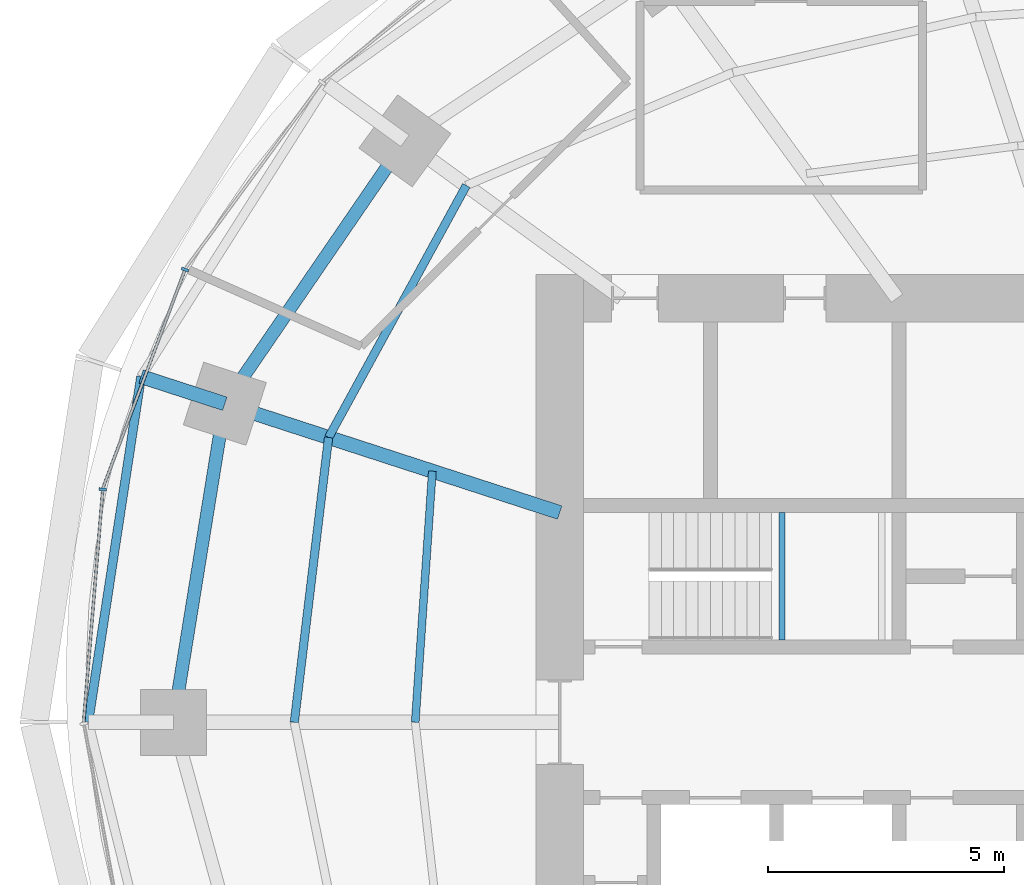
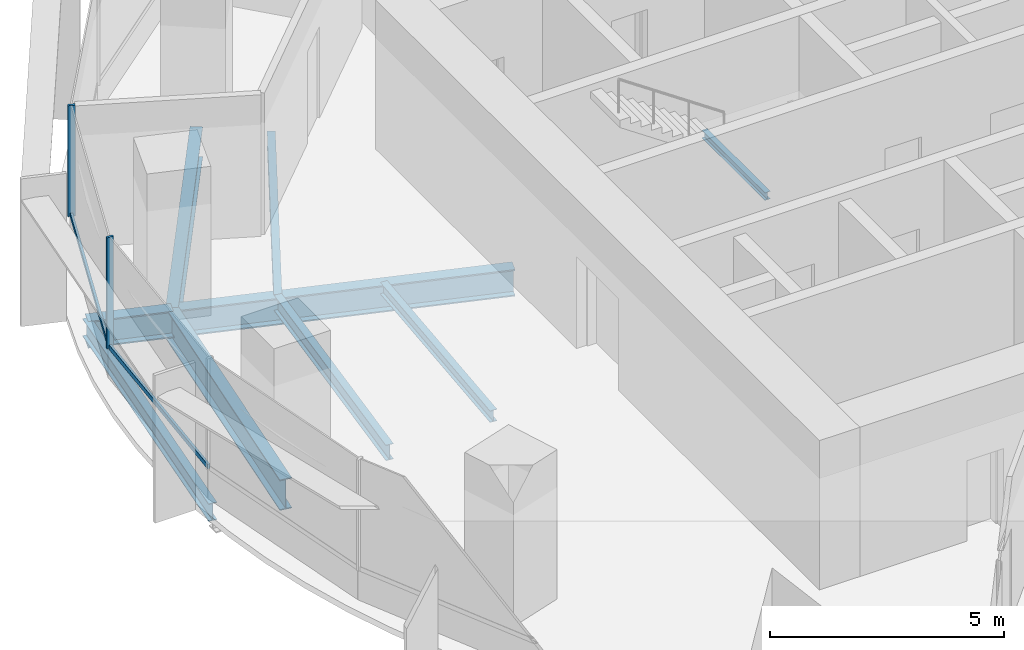
# One storey, part 4 of 14: 9 beams, 4 members, 1 element without a shape of its own.
"""IFC4 building model written with IfcOpenShell, lengths in metres."""

from ifc_helpers import new_model, si_unit, direction, frame, origin, origin_2d, place, context, subcontext, project, spatial, rectangle, i_section, extrude, material, material_profile, profile_set, type_object, element, aggregate, save


model = new_model("IFC4")

# Units and contexts
model_context = context("Model", 3, precision=1e-05, world=origin(), true_north=direction((0.0, 1.0)))
body_context = subcontext(model_context, "Body", "Model", "MODEL_VIEW")
ifc_project = project(units=[si_unit("LENGTHUNIT", "METRE"), si_unit("AREAUNIT", "SQUARE_METRE"), si_unit("VOLUMEUNIT", "CUBIC_METRE"), si_unit("PLANEANGLEUNIT", "RADIAN"), si_unit("MASSUNIT", "GRAM", prefix="KILO")], contexts=[model_context])

# Site, building, storey
site_placement = place(None, origin())
site = spatial("IfcSite", under=ifc_project, at=site_placement, CompositionType="ELEMENT")
building_placement = place(site_placement, origin())
building = spatial("IfcBuilding", under=site, at=building_placement, Name="Marramba Exchange Tower", CompositionType="ELEMENT")
storey_placement = place(building_placement, frame((0.0, 0.0, 242.300048828125)))
storey = spatial("IfcBuildingStorey", under=building, at=storey_placement, Name="L59", CompositionType="ELEMENT", Elevation=242.300048828125)

# Beams
ifc_material_1 = material(Name="Steel AS/NZS 3679.2 grade 300", Category="steel")
ifc_material_profile_1 = material_profile(ifc_material_1, i_section(OverallWidth=0.300048828125, OverallDepth=0.699951171875, WebThickness=0.010009765625, FlangeThickness=0.031982421875, at=origin_2d()), Name="700WB173")
ifc_profile_set_1 = profile_set([ifc_material_profile_1], Name="Steel AS/NZS 3679.2 grade 300")
beam_type_1 = type_object("IfcBeamType", Name="Cantilever girder 700WB173", PredefinedType="BEAM", material=ifc_profile_set_1)
beam_1_placement = place(storey_placement, frame((-20.808349609375, 6.760986328125, -0.510009765625), z_axis=(-0.951047511993, 0.309044705395, 0.0), x_axis=(-0.309044705395, -0.951047511993, 0.0)))
element("IfcBeam", 1, at=beam_1_placement, inside=storey, type_object=beam_type_1, Name="Cantilever girder L59 TC10", PredefinedType="BEAM", context=body_context, shape_type="SweptSolid", body=[
    extrude(i_section(OverallWidth=0.300048828125, OverallDepth=0.699951171875, WebThickness=0.010009765625, FlangeThickness=0.031982421875, at=origin_2d()), origin(), (0.0, 0.0, 1.0), 1.868408203125),
])
ifc_material_2 = material(Name="Steel AS/NZS 3679.1 grade 300", Category="steel")
ifc_material_profile_2 = material_profile(ifc_material_2, i_section(OverallWidth=0.166015625, OverallDepth=0.306884765625, WebThickness=0.006591796875, FlangeThickness=0.01171875, FilletRadius=0.011474609375, at=origin_2d()), Name="310UB46.2")
ifc_profile_set_2 = profile_set([ifc_material_profile_2], Name="Steel AS/NZS 3679.1 grade 300")
beam_type_2 = type_object("IfcBeamType", Name="Floor joist 310UB46.2", PredefinedType="JOIST", material=ifc_profile_set_2)
beam_2_placement = place(storey_placement, frame((-16.40283203125, 5.32958984375, -0.3134765625), z_axis=(-0.068096259546, -0.99767875563, 0.0), x_axis=(0.99767875563, -0.068096259546, 0.0)))
element("IfcBeam", 2, at=beam_2_placement, inside=storey, type_object=beam_type_2, Name="Joist L59 bay 10 row 1", PredefinedType="JOIST", context=body_context, shape_type="SweptSolid", body=[
    extrude(i_section(OverallWidth=0.166015625, OverallDepth=0.306884765625, WebThickness=0.006591796875, FlangeThickness=0.01171875, FilletRadius=0.011474609375, at=origin_2d()), origin(), (0.0, 0.0, 1.0), 5.342041015625),
])
ifc_material_profile_3 = material_profile(ifc_material_2, i_section(OverallWidth=0.177978515625, OverallDepth=0.406005859375, WebThickness=0.0078125, FlangeThickness=0.0126953125, FilletRadius=0.011474609375, at=origin_2d()), Name="410UB59.7")
ifc_profile_set_3 = profile_set([ifc_material_profile_3], Name="Steel AS/NZS 3679.1 grade 300")
beam_type_3 = type_object("IfcBeamType", Name="Floor joist 410UB59.7", PredefinedType="JOIST", material=ifc_profile_set_3)
beam_3_placement = place(storey_placement, frame((-15.682373046875, 11.393798828125, -0.363037109375), z_axis=(-0.479584443791, -0.877495732909, 0.0), x_axis=(0.877495732909, -0.479584443791, 0.0)))
element("IfcBeam", 3, at=beam_3_placement, inside=storey, type_object=beam_type_3, Name="Joist L59 bay 09 row 2", PredefinedType="JOIST", context=body_context, shape_type="SweptSolid", body=[
    extrude(i_section(OverallWidth=0.177978515625, OverallDepth=0.406005859375, WebThickness=0.0078125, FlangeThickness=0.0126953125, FilletRadius=0.011474609375, at=origin_2d()), origin(), (0.0, 0.0, 1.0), 6.094970703125),
])
beam_4_placement = place(storey_placement, frame((-18.60546875, 6.04541015625, -0.363037109375), z_axis=(-0.119523078538, -0.992831422597, 0.0), x_axis=(0.992831422597, -0.119523078538, 0.0)))
element("IfcBeam", 4, at=beam_4_placement, inside=storey, type_object=beam_type_3, Name="Joist L59 bay 10 row 2", PredefinedType="JOIST", context=body_context, shape_type="SweptSolid", body=[
    extrude(i_section(OverallWidth=0.177978515625, OverallDepth=0.406005859375, WebThickness=0.0078125, FlangeThickness=0.0126953125, FilletRadius=0.011474609375, at=origin_2d()), origin(), (0.0, 0.0, 1.0), 6.089111328125),
])

# Curtain wall, members
ifc_material_3 = material(Name="Aluminium framing, bronze anodised", Category="aluminium")
curtain_wall_type = type_object("IfcCurtainWallType", Name="Office ribbon curtain wall", PredefinedType="USERDEFINED", material=ifc_material_3)
curtain_wall_placement = place(storey_placement, origin())
curtain_wall = element("IfcCurtainWall", 5, at=curtain_wall_placement, inside=storey, type_object=curtain_wall_type, Name="Curtain wall CW4 L59 F11-F15", ObjectType="RIBBON CURTAIN WALL", PredefinedType="USERDEFINED")
ifc_material_4 = material(Name="Aluminium mullion, bronze anodised", Category="aluminium")
ifc_material_profile_4 = material_profile(ifc_material_4, rectangle(XDim=0.159912109375, YDim=0.06005859375, at=origin_2d()), Name="CW4 mullion 60x160")
ifc_profile_set_4 = profile_set([ifc_material_profile_4], Name="Aluminium mullion, bronze anodised")
member_type_1 = type_object("IfcMemberType", Name="Office ribbon curtain wall mullion", PredefinedType="MULLION", material=ifc_profile_set_4)
member_1_placement = place(storey_placement, frame((-21.65283203125, 9.607666015625, 0.800048828125), z_axis=(0.0, 0.0, 1.0), x_axis=(0.936018231909, -0.351951515885, 0.0)))
member_1 = element("IfcMember", 6, at=member_1_placement, type_object=member_type_1, Name="CW4 mullion 1", PredefinedType="MULLION", context=body_context, shape_type="SweptSolid", body=[
    extrude(rectangle(XDim=0.159912109375, YDim=0.06005859375, at=origin_2d()), origin(), (0.0, 0.0, 1.0), 2.89990234375),
])
member_2_placement = place(storey_placement, frame((-23.39794921875, 4.94287109375, 0.800048828125), z_axis=(0.0, 0.0, 1.0), x_axis=(0.996609178714, -0.082280890264, 0.0)))
member_2 = element("IfcMember", 7, at=member_2_placement, type_object=member_type_1, Name="CW4 mullion 1", PredefinedType="MULLION", context=body_context, shape_type="SweptSolid", body=[
    extrude(rectangle(XDim=0.159912109375, YDim=0.06005859375, at=origin_2d()), origin(), (0.0, 0.0, 1.0), 2.89990234375),
])
ifc_material_5 = material(Name="Aluminium transom, bronze anodised", Category="aluminium")
ifc_material_profile_5 = material_profile(ifc_material_5, rectangle(XDim=0.06005859375, YDim=0.1201171875, at=origin_2d()), Name="CW4 transom 60x120")
ifc_profile_set_5 = profile_set([ifc_material_profile_5], Name="Aluminium transom, bronze anodised")
member_type_2 = type_object("IfcMemberType", Name="Office ribbon curtain wall transom", PredefinedType="USERDEFINED", material=ifc_profile_set_5)
member_3_placement = place(storey_placement, frame((-21.663330078125, 9.57958984375, 0.829833984375), z_axis=(-0.351955054115, -0.936016901494, 0.0), x_axis=(0.936016901494, -0.351955054115, 0.0)))
member_3 = element("IfcMember", 8, at=member_3_placement, type_object=member_type_2, Name="CW4 sill transom", ObjectType="TRANSOM", PredefinedType="USERDEFINED", context=body_context, shape_type="SweptSolid", body=[
    extrude(rectangle(XDim=0.06005859375, YDim=0.1201171875, at=origin_2d()), origin(), (0.0, 0.0, 1.0), 4.921630859375),
])
member_4_placement = place(storey_placement, frame((-23.400390625, 4.9130859375, 0.829833984375), z_axis=(-0.082258542539, -0.996611023509, 0.0), x_axis=(0.996611023509, -0.082258542539, 0.0)))
member_4 = element("IfcMember", 9, at=member_4_placement, type_object=member_type_2, Name="CW4 sill transom", ObjectType="TRANSOM", PredefinedType="USERDEFINED", context=body_context, shape_type="SweptSolid", body=[
    extrude(rectangle(XDim=0.06005859375, YDim=0.1201171875, at=origin_2d()), origin(), (0.0, 0.0, 1.0), 4.9296875),
])
aggregate(curtain_wall, [member_1, member_3, member_2, member_4])

# Beams
ifc_material_profile_6 = material_profile(ifc_material_1, i_section(OverallWidth=0.300048828125, OverallDepth=0.699951171875, WebThickness=0.010009765625, FlangeThickness=0.031982421875, at=origin_2d()), Name="700WB173")
ifc_profile_set_6 = profile_set([ifc_material_profile_6], Name="Steel AS/NZS 3679.2 grade 300")
beam_type_4 = type_object("IfcBeamType", Name="Radial girder 700WB173", PredefinedType="BEAM", material=ifc_profile_set_6)
beam_5_placement = place(storey_placement, frame((-13.699951171875, 4.451416015625, -0.510009765625), z_axis=(-0.951059990189, 0.309006302624, 0.0), x_axis=(-0.309006302624, -0.951059990189, 0.0)))
element("IfcBeam", 10, at=beam_5_placement, inside=storey, type_object=beam_type_4, Name="Radial girder L59 TC10", PredefinedType="BEAM", context=body_context, shape_type="SweptSolid", body=[
    extrude(i_section(OverallWidth=0.300048828125, OverallDepth=0.699951171875, WebThickness=0.010009765625, FlangeThickness=0.031982421875, at=origin_2d()), origin(), (0.0, 0.0, 1.0), 7.47412109375),
])
ifc_material_profile_7 = material_profile(ifc_material_1, i_section(OverallWidth=0.27490234375, OverallDepth=0.800048828125, WebThickness=0.010009765625, FlangeThickness=0.02490234375, at=origin_2d()), Name="800WB168")
ifc_profile_set_7 = profile_set([ifc_material_profile_7], Name="Steel AS/NZS 3679.2 grade 300")
beam_type_5 = type_object("IfcBeamType", Name="Ring beam 800WB168", PredefinedType="SPANDREL", material=ifc_profile_set_7)
beam_6_placement = place(storey_placement, frame((-16.98583984375, 12.3408203125, -0.56005859375), z_axis=(-0.56516002054, -0.824981303535, 0.0), x_axis=(0.824981303535, -0.56516002054, 0.0)))
element("IfcBeam", 11, at=beam_6_placement, inside=storey, type_object=beam_type_5, Name="Ring beam L59 TC09-TC10", PredefinedType="SPANDREL", context=body_context, shape_type="SweptSolid", body=[
    extrude(i_section(OverallWidth=0.27490234375, OverallDepth=0.800048828125, WebThickness=0.010009765625, FlangeThickness=0.02490234375, at=origin_2d()), origin(), (0.0, 0.0, 1.0), 6.763671875),
])
beam_7_placement = place(storey_placement, frame((-20.808349609375, 6.760986328125, -0.56005859375), z_axis=(-0.159384865399, -0.987216523708, 0.0), x_axis=(0.987216523708, -0.159384865399, 0.0)))
element("IfcBeam", 12, at=beam_7_placement, inside=storey, type_object=beam_type_5, Name="Ring beam L59 TC10-TC11", PredefinedType="SPANDREL", context=body_context, shape_type="SweptSolid", body=[
    extrude(i_section(OverallWidth=0.27490234375, OverallDepth=0.800048828125, WebThickness=0.010009765625, FlangeThickness=0.02490234375, at=origin_2d()), origin(), (0.0, 0.0, 1.0), 6.8486328125),
])
ifc_material_profile_8 = material_profile(ifc_material_2, i_section(OverallWidth=0.19091796875, OverallDepth=0.4599609375, WebThickness=0.010009765625, FlangeThickness=0.01611328125, FilletRadius=0.011474609375, at=origin_2d()), Name="460UB82.1")
ifc_profile_set_8 = profile_set([ifc_material_profile_8], Name="Steel AS/NZS 3679.1 grade 300")
beam_type_6 = type_object("IfcBeamType", Name="Slab edge beam 460UB82.1", PredefinedType="SPANDREL", material=ifc_profile_set_8)
beam_8_placement = place(storey_placement, frame((-22.585205078125, 7.33837890625, -0.39013671875), z_axis=(-0.150987012186, -0.988535746522, 0.0), x_axis=(0.988535746522, -0.150987012186, 0.0)))
element("IfcBeam", 13, at=beam_8_placement, inside=storey, type_object=beam_type_6, Name="Slab edge beam L59 TC10-TC11", PredefinedType="SPANDREL", context=body_context, shape_type="SweptSolid", body=[
    extrude(i_section(OverallWidth=0.19091796875, OverallDepth=0.4599609375, WebThickness=0.010009765625, FlangeThickness=0.01611328125, FilletRadius=0.011474609375, at=origin_2d()), origin(), (0.0, 0.0, 1.0), 7.423583984375),
])
ifc_material_profile_9 = material_profile(ifc_material_2, i_section(OverallWidth=0.133056640625, OverallDepth=0.202880859375, WebThickness=0.005859375, FlangeThickness=0.0078125, FilletRadius=0.0087890625, at=origin_2d()), Name="200UB25.4")
ifc_profile_set_9 = profile_set([ifc_material_profile_9], Name="Steel AS/NZS 3679.1 grade 300")
beam_type_7 = type_object("IfcBeamType", Name="Stair landing beam 200UB25.4", PredefinedType="BEAM", material=ifc_profile_set_9)
beam_9_placement = place(storey_placement, frame((-8.9833984375, 1.75, 1.6484375), z_axis=(0.0, 1.0, 0.0), x_axis=(-1.0, 0.0, 0.0)))
element("IfcBeam", 14, at=beam_9_placement, inside=storey, type_object=beam_type_7, Name="Stair landing beam SLB1 ST1 L59 1", PredefinedType="BEAM", context=body_context, shape_type="SweptSolid", body=[
    extrude(i_section(OverallWidth=0.133056640625, OverallDepth=0.202880859375, WebThickness=0.005859375, FlangeThickness=0.0078125, FilletRadius=0.0087890625, at=origin_2d()), origin(), (0.0, 0.0, 1.0), 2.699951171875),
])

save(model, "model.ifc")
